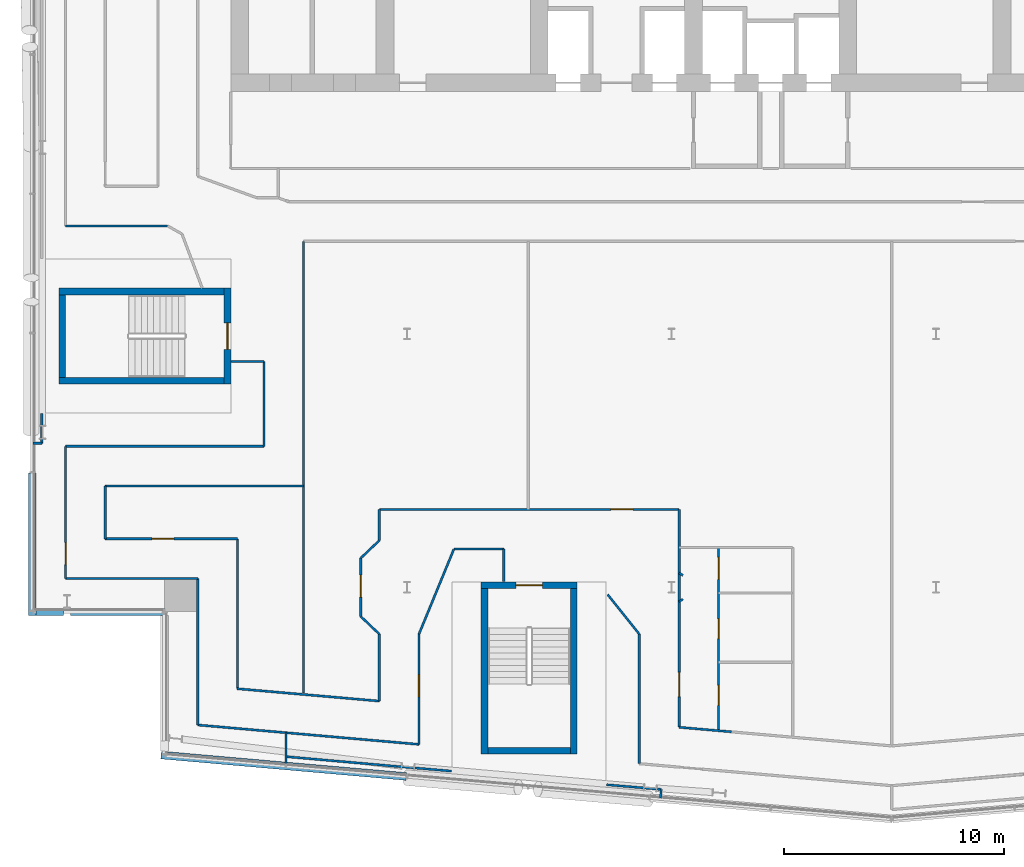
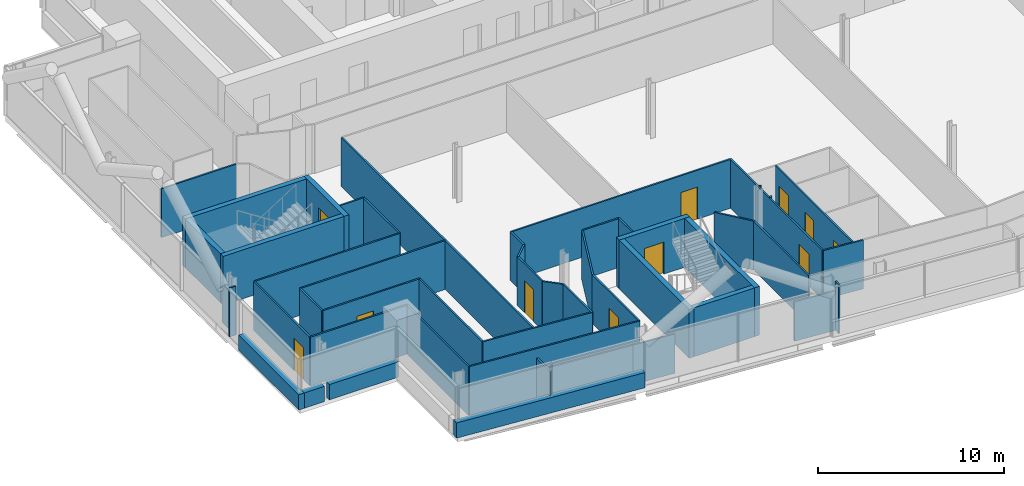
# One storey, part 15 of 27: 50 walls, 11 doors, 11 openings.
"""IFC4 building model written with IfcOpenShell, lengths in metres."""

from ifc_helpers import new_model, si_unit, direction, frame, frame_2d, origin, place, context, subcontext, project, spatial, rectangle, extrude, material, layer, layer_set, type_object, element, fill, save


model = new_model("IFC4")

# Units and contexts
model_context = context("Model", 3, precision=1e-05, world=origin(), true_north=direction((0.0, 1.0)))
body_context = subcontext(model_context, "Body", "Model", "MODEL_VIEW")
ifc_project = project(units=[si_unit("LENGTHUNIT", "METRE"), si_unit("AREAUNIT", "SQUARE_METRE"), si_unit("VOLUMEUNIT", "CUBIC_METRE"), si_unit("PLANEANGLEUNIT", "RADIAN"), si_unit("MASSUNIT", "GRAM", prefix="KILO")], contexts=[model_context])

# Site, building, storey
site_placement = place(None, origin())
site = spatial("IfcSite", under=ifc_project, at=site_placement, CompositionType="ELEMENT")
building_placement = place(site_placement, origin())
building = spatial("IfcBuilding", under=site, at=building_placement, Name="Wharfspan Tower", CompositionType="ELEMENT")
storey_placement = place(building_placement, frame((0.0, 0.0, 191.5)))
storey = spatial("IfcBuildingStorey", under=building, at=storey_placement, Name="L47", CompositionType="ELEMENT", Elevation=191.5)

# Wall, opening, door
ifc_material_1 = material(Name="Gypsum board on steel studs", Category="steel")
ifc_layer_1 = layer(ifc_material_1, 0.100098)
ifc_layer_set_1 = layer_set([ifc_layer_1], Name="Gypsum board on steel studs")
wall_type_1 = type_object("IfcWallType", Name="Compartment wall 100 EI 60", PredefinedType="PARTITIONING", material=ifc_layer_set_1)
wall_1_placement = place(storey_placement, frame((8.5, 11.899902, 0.0), z_axis=(0.0, 0.0, 1.0), x_axis=(0.0, 1.0, 0.0)))
wall_1 = element("IfcWall", 1, at=wall_1_placement, inside=storey, type_object=wall_type_1, Name="Partition L47.w004", PredefinedType="PARTITIONING", context=body_context, shape_type="SweptSolid", body=[
    extrude(rectangle(XDim=6.0, YDim=0.100098, at=frame_2d((3.0, 0.0))), origin(), (0.0, 0.0, 1.0), 3.199951),
])
opening_1_placement = place(wall_1_placement, frame((0.629883, 0.0, 0.0)))
opening_1 = element("IfcOpeningElement", 2, at=opening_1_placement, cuts=wall_1, Name="Opening C5-13", PredefinedType="OPENING", context=body_context, shape_type="SweptSolid", body=[
    extrude(rectangle(XDim=1.0, YDim=2.100098, at=frame_2d((0.5, 1.050049))), frame((0.0, 0.060059, 0.0), z_axis=(0.0, -1.0, 0.0), x_axis=(1.0, 0.0, 0.0)), (0.0, 0.0, 1.0), 0.120117),
])
ifc_material_2 = material(Name="Fire-rated timber door leaf in steel frame", Category="steel")
door_type_1 = type_object("IfcDoorType", Name="Door 1000 FD30S Left", OperationType="SINGLE_SWING_LEFT", PredefinedType="DOOR", material=ifc_material_2)
door_1_placement = place(opening_1_placement, origin())
door_1 = element("IfcDoor", 3, at=door_1_placement, inside=storey, type_object=door_type_1, Name="Door C5-13", OperationType="SINGLE_SWING_LEFT", OverallHeight=2.100098, OverallWidth=1.0, PredefinedType="DOOR", context=body_context, shape_type="SweptSolid", body=[
    extrude(rectangle(XDim=1.0, YDim=2.100098, at=frame_2d((0.5, 1.050049))), frame((0.0, 0.024902, 0.0), z_axis=(0.0, -1.0, 0.0), x_axis=(1.0, 0.0, 0.0)), (0.0, 0.0, 1.0), 0.050049),
])
fill(opening_1, door_1)

# Walls
wall_2_placement = place(storey_placement, frame((8.5, 11.899902, 0.0), z_axis=(0.0, 0.0, 1.0), x_axis=(1.0, 0.0, 0.0)))
element("IfcWall", 4, at=wall_2_placement, inside=storey, type_object=wall_type_1, Name="Partition L47.w005", PredefinedType="PARTITIONING", context=body_context, shape_type="SweptSolid", body=[
    extrude(rectangle(XDim=6.0, YDim=0.100098, at=frame_2d((3.0, 0.0))), origin(), (0.0, 0.0, 1.0), 3.199951),
])
wall_3_placement = place(storey_placement, frame((8.5, 17.899902, 0.0), z_axis=(0.0, 0.0, 1.0), x_axis=(1.0, 0.0, 0.0)))
element("IfcWall", 5, at=wall_3_placement, inside=storey, type_object=wall_type_1, Name="Partition L47.w006", PredefinedType="PARTITIONING", context=body_context, shape_type="SweptSolid", body=[
    extrude(rectangle(XDim=9.0, YDim=0.100098, at=frame_2d((4.5, 0.0))), origin(), (0.0, 0.0, 1.0), 3.199951),
])
wall_4_placement = place(storey_placement, frame((8.5, 27.899902, 0.0), z_axis=(0.0, 0.0, 1.0), x_axis=(1.0, 0.0, 0.0)))
element("IfcWall", 6, at=wall_4_placement, inside=storey, type_object=wall_type_1, Name="Partition L47.w008", PredefinedType="PARTITIONING", context=body_context, shape_type="SweptSolid", body=[
    extrude(rectangle(XDim=4.63501, YDim=0.100098, at=frame_2d((2.317383, 0.0))), origin(), (0.0, 0.0, 1.0), 3.199951),
])
wall_5_placement = place(storey_placement, frame((10.300049, 13.699951, 0.0), z_axis=(0.0, 0.0, 1.0), x_axis=(0.0, 1.0, 0.0)))
element("IfcWall", 7, at=wall_5_placement, inside=storey, type_object=wall_type_1, Name="Partition L47.w010", PredefinedType="PARTITIONING", context=body_context, shape_type="SweptSolid", body=[
    extrude(rectangle(XDim=2.400146, YDim=0.100098, at=frame_2d((1.200195, 0.0))), origin(), (0.0, 0.0, 1.0), 3.199951),
])

# Wall, opening, door
wall_6_placement = place(storey_placement, frame((10.300049, 13.699951, 0.0), z_axis=(0.0, 0.0, 1.0), x_axis=(1.0, 0.0, 0.0)))
wall_6 = element("IfcWall", 8, at=wall_6_placement, inside=storey, type_object=wall_type_1, Name="Partition L47.w011", PredefinedType="PARTITIONING", context=body_context, shape_type="SweptSolid", body=[
    extrude(rectangle(XDim=6.0, YDim=0.100098, at=frame_2d((3.0, 0.0))), origin(), (0.0, 0.0, 1.0), 3.199951),
])
opening_2_placement = place(wall_6_placement, frame((2.119629, 0.0, 0.0)))
opening_2 = element("IfcOpeningElement", 9, at=opening_2_placement, cuts=wall_6, Name="Opening C5-14", PredefinedType="OPENING", context=body_context, shape_type="SweptSolid", body=[
    extrude(rectangle(XDim=1.0, YDim=2.100098, at=frame_2d((0.5, 1.050049))), frame((0.0, 0.060059, 0.0), z_axis=(0.0, -1.0, 0.0), x_axis=(1.0, 0.0, 0.0)), (0.0, 0.0, 1.0), 0.120117),
])
door_2_placement = place(opening_2_placement, origin())
door_2 = element("IfcDoor", 10, at=door_2_placement, inside=storey, type_object=door_type_1, Name="Door C5-14", OperationType="SINGLE_SWING_LEFT", OverallHeight=2.100098, OverallWidth=1.0, PredefinedType="DOOR", context=body_context, shape_type="SweptSolid", body=[
    extrude(rectangle(XDim=1.0, YDim=2.100098, at=frame_2d((0.5, 1.050049))), frame((0.0, 0.024902, 0.0), z_axis=(0.0, -1.0, 0.0), x_axis=(1.0, 0.0, 0.0)), (0.0, 0.0, 1.0), 0.050049),
])
fill(opening_2, door_2)

# Walls
wall_7_placement = place(storey_placement, frame((10.300049, 16.100098, 0.0), z_axis=(0.0, 0.0, 1.0), x_axis=(1.0, 0.0, 0.0)))
element("IfcWall", 11, at=wall_7_placement, inside=storey, type_object=wall_type_1, Name="Partition L47.w012", PredefinedType="PARTITIONING", context=body_context, shape_type="SweptSolid", body=[
    extrude(rectangle(XDim=9.0, YDim=0.100098, at=frame_2d((4.5, 0.0))), origin(), (0.0, 0.0, 1.0), 3.199951),
])
wall_8_placement = place(storey_placement, frame((14.5, 5.25, 0.0), z_axis=(0.0, 0.0, 1.0), x_axis=(0.0, 1.0, 0.0)))
element("IfcWall", 12, at=wall_8_placement, inside=storey, type_object=wall_type_1, Name="Partition L47.w018", PredefinedType="PARTITIONING", context=body_context, shape_type="SweptSolid", body=[
    extrude(rectangle(XDim=6.649902, YDim=0.100098, at=frame_2d((3.324951, 0.0))), origin(), (0.0, 0.0, 1.0), 3.199951),
])
wall_9_placement = place(storey_placement, frame((16.02002, 21.75, 0.0), z_axis=(0.0, 0.0, 1.0), x_axis=(1.0, 0.0, 0.0)))
element("IfcWall", 13, at=wall_9_placement, inside=storey, type_object=wall_type_1, Name="Partition L47.w024", PredefinedType="PARTITIONING", context=body_context, shape_type="SweptSolid", body=[
    extrude(rectangle(XDim=1.47998, YDim=0.100098, at=frame_2d((0.73999, 0.0))), origin(), (0.0, 0.0, 1.0), 3.199951),
])
wall_10_placement = place(storey_placement, frame((16.300049, 6.899902, 0.0), z_axis=(0.0, 0.0, 1.0), x_axis=(0.0, 1.0, 0.0)))
element("IfcWall", 14, at=wall_10_placement, inside=storey, type_object=wall_type_1, Name="Partition L47.w025", PredefinedType="PARTITIONING", context=body_context, shape_type="SweptSolid", body=[
    extrude(rectangle(XDim=6.800049, YDim=0.100098, at=frame_2d((3.399902, 0.0))), origin(), (0.0, 0.0, 1.0), 3.199951),
])
wall_11_placement = place(storey_placement, frame((17.5, 17.899902, 0.0), z_axis=(0.0, 0.0, 1.0), x_axis=(0.0, 1.0, 0.0)))
element("IfcWall", 15, at=wall_11_placement, inside=storey, type_object=wall_type_1, Name="Partition L47.w028", PredefinedType="PARTITIONING", context=body_context, shape_type="SweptSolid", body=[
    extrude(rectangle(XDim=3.850098, YDim=0.100098, at=frame_2d((1.925049, 0.0))), origin(), (0.0, 0.0, 1.0), 3.199951),
])
wall_12_placement = place(storey_placement, frame((18.5, 3.425049, 0.0), z_axis=(0.0, 0.0, 1.0), x_axis=(0.0, 1.0, 0.0)))
element("IfcWall", 16, at=wall_12_placement, inside=storey, type_object=wall_type_1, Name="Partition L47.w031", PredefinedType="PARTITIONING", context=body_context, shape_type="SweptSolid", body=[
    extrude(rectangle(XDim=1.474854, YDim=0.100098, at=frame_2d((0.737305, 0.0))), origin(), (0.0, 0.0, 1.0), 2.580078),
])
wall_13_placement = place(storey_placement, frame((19.300049, 6.705078, 0.0), z_axis=(0.0, 0.0, 1.0), x_axis=(0.0, 1.0, 0.0)))
element("IfcWall", 17, at=wall_13_placement, inside=storey, type_object=wall_type_1, Name="Partition L47.w036", PredefinedType="PARTITIONING", context=body_context, shape_type="SweptSolid", body=[
    extrude(rectangle(XDim=20.494873, YDim=0.100098, at=frame_2d((10.247559, 0.0))), origin(), (0.0, 0.0, 1.0), 3.199951),
])
wall_14_placement = place(storey_placement, frame((21.899902, 12.824951, 0.0), z_axis=(0.0, 0.0, 1.0), x_axis=(0.724157, 0.689643, 0.0)))
element("IfcWall", 18, at=wall_14_placement, inside=storey, type_object=wall_type_1, Name="Partition L47.w038", PredefinedType="PARTITIONING", context=body_context, shape_type="SweptSolid", body=[
    extrude(rectangle(XDim=1.160156, YDim=0.100098, at=frame_2d((0.580078, 0.0))), origin(), (0.0, 0.0, 1.0), 3.199951),
])

# Wall, opening, door
wall_15_placement = place(storey_placement, frame((21.899902, 10.175049, 0.0), z_axis=(0.0, 0.0, 1.0), x_axis=(0.0, 1.0, 0.0)))
wall_15 = element("IfcWall", 19, at=wall_15_placement, inside=storey, type_object=wall_type_1, Name="Partition L47.w039", PredefinedType="PARTITIONING", context=body_context, shape_type="SweptSolid", body=[
    extrude(rectangle(XDim=2.649902, YDim=0.100098, at=frame_2d((1.324951, 0.0))), origin(), (0.0, 0.0, 1.0), 3.199951),
])
opening_3_placement = place(wall_15_placement, frame((0.879883, 0.0, 0.0)))
opening_3 = element("IfcOpeningElement", 20, at=opening_3_placement, cuts=wall_15, Name="Opening C5-11", PredefinedType="OPENING", context=body_context, shape_type="SweptSolid", body=[
    extrude(rectangle(XDim=1.0, YDim=2.100098, at=frame_2d((0.5, 1.050049))), frame((0.0, 0.060059, 0.0), z_axis=(0.0, -1.0, 0.0), x_axis=(1.0, 0.0, 0.0)), (0.0, 0.0, 1.0), 0.120117),
])
door_type_2 = type_object("IfcDoorType", Name="Door 1000 FD30S Right", OperationType="SINGLE_SWING_RIGHT", PredefinedType="DOOR", material=ifc_material_2)
door_3_placement = place(opening_3_placement, origin())
door_3 = element("IfcDoor", 21, at=door_3_placement, inside=storey, type_object=door_type_2, Name="Door C5-11", OperationType="SINGLE_SWING_RIGHT", OverallHeight=2.100098, OverallWidth=1.0, PredefinedType="DOOR", context=body_context, shape_type="SweptSolid", body=[
    extrude(rectangle(XDim=1.0, YDim=2.100098, at=frame_2d((0.5, 1.050049))), frame((0.0, 0.024902, 0.0), z_axis=(0.0, -1.0, 0.0), x_axis=(1.0, 0.0, 0.0)), (0.0, 0.0, 1.0), 0.050049),
])
fill(opening_3, door_3)

# Walls
wall_16_placement = place(storey_placement, frame((22.73999, 9.375, 0.0), z_axis=(0.0, 0.0, 1.0), x_axis=(-0.724157, 0.689643, 0.0)))
element("IfcWall", 22, at=wall_16_placement, inside=storey, type_object=wall_type_1, Name="Partition L47.w040", PredefinedType="PARTITIONING", context=body_context, shape_type="SweptSolid", body=[
    extrude(rectangle(XDim=1.160156, YDim=0.100098, at=frame_2d((0.580078, 0.0))), origin(), (0.0, 0.0, 1.0), 3.199951),
])
wall_17_placement = place(storey_placement, frame((22.73999, 6.334961, 0.0), z_axis=(0.0, 0.0, 1.0), x_axis=(-0.996229, 0.086722, 0.0)))
element("IfcWall", 23, at=wall_17_placement, inside=storey, type_object=wall_type_1, Name="Partition L47.w041", PredefinedType="PARTITIONING", context=body_context, shape_type="SweptSolid", body=[
    extrude(rectangle(XDim=6.477783, YDim=0.100098, at=frame_2d((3.23877, 0.0))), origin(), (0.0, 0.0, 1.0), 3.199951),
])
wall_18_placement = place(storey_placement, frame((22.73999, 6.334961, 0.0), z_axis=(0.0, 0.0, 1.0), x_axis=(0.0, 1.0, 0.0)))
element("IfcWall", 24, at=wall_18_placement, inside=storey, type_object=wall_type_1, Name="Partition L47.w042", PredefinedType="PARTITIONING", context=body_context, shape_type="SweptSolid", body=[
    extrude(rectangle(XDim=3.040039, YDim=0.100098, at=frame_2d((1.52002, 0.0))), origin(), (0.0, 0.0, 1.0), 3.199951),
])
wall_19_placement = place(storey_placement, frame((22.73999, 13.625, 0.0), z_axis=(0.0, 0.0, 1.0), x_axis=(0.0, 1.0, 0.0)))
element("IfcWall", 25, at=wall_19_placement, inside=storey, type_object=wall_type_1, Name="Partition L47.w043", PredefinedType="PARTITIONING", context=body_context, shape_type="SweptSolid", body=[
    extrude(rectangle(XDim=1.409912, YDim=0.100098, at=frame_2d((0.705078, 0.0))), origin(), (0.0, 0.0, 1.0), 3.199951),
])

# Wall, opening, door
wall_20_placement = place(storey_placement, frame((22.73999, 15.034912, 0.0), z_axis=(0.0, 0.0, 1.0), x_axis=(1.0, 0.0, 0.0)))
wall_20 = element("IfcWall", 26, at=wall_20_placement, inside=storey, type_object=wall_type_1, Name="Partition L47.w044", PredefinedType="PARTITIONING", context=body_context, shape_type="SweptSolid", body=[
    extrude(rectangle(XDim=13.600098, YDim=0.100098, at=frame_2d((6.800049, 0.0))), origin(), (0.0, 0.0, 1.0), 3.199951),
])
opening_4_placement = place(wall_20_placement, frame((10.51001, 0.0, 0.0)))
opening_4 = element("IfcOpeningElement", 27, at=opening_4_placement, cuts=wall_20, Name="Opening C5-15", PredefinedType="OPENING", context=body_context, shape_type="SweptSolid", body=[
    extrude(rectangle(XDim=1.0, YDim=2.100098, at=frame_2d((0.5, 1.050049))), frame((0.0, 0.060059, 0.0), z_axis=(0.0, -1.0, 0.0), x_axis=(1.0, 0.0, 0.0)), (0.0, 0.0, 1.0), 0.120117),
])
door_4_placement = place(opening_4_placement, origin())
door_4 = element("IfcDoor", 28, at=door_4_placement, inside=storey, type_object=door_type_2, Name="Door C5-15", OperationType="SINGLE_SWING_RIGHT", OverallHeight=2.100098, OverallWidth=1.0, PredefinedType="DOOR", context=body_context, shape_type="SweptSolid", body=[
    extrude(rectangle(XDim=1.0, YDim=2.100098, at=frame_2d((0.5, 1.050049))), frame((0.0, 0.024902, 0.0), z_axis=(0.0, -1.0, 0.0), x_axis=(1.0, 0.0, 0.0)), (0.0, 0.0, 1.0), 0.050049),
])
fill(opening_4, door_4)

# Wall
wall_21_placement = place(storey_placement, frame((24.540039, 9.375, 0.0), z_axis=(0.0, 0.0, 1.0), x_axis=(0.380187, 0.924914, 0.0)))
element("IfcWall", 29, at=wall_21_placement, inside=storey, type_object=wall_type_1, Name="Partition L47.w046", PredefinedType="PARTITIONING", context=body_context, shape_type="SweptSolid", body=[
    extrude(rectangle(XDim=4.156006, YDim=0.100098, at=frame_2d((2.078125, 0.0))), origin(), (0.0, 0.0, 1.0), 3.199951),
])

# Wall, opening, door
wall_22_placement = place(storey_placement, frame((24.540039, 4.370117, 0.0), z_axis=(0.0, 0.0, 1.0), x_axis=(0.0, 1.0, 0.0)))
wall_22 = element("IfcWall", 30, at=wall_22_placement, inside=storey, type_object=wall_type_1, Name="Partition L47.w047", PredefinedType="PARTITIONING", context=body_context, shape_type="SweptSolid", body=[
    extrude(rectangle(XDim=5.004883, YDim=0.100098, at=frame_2d((2.502441, 0.0))), origin(), (0.0, 0.0, 1.0), 3.199951),
])
opening_5_placement = place(wall_22_placement, frame((2.156006, 0.0, 0.0)))
opening_5 = element("IfcOpeningElement", 31, at=opening_5_placement, cuts=wall_22, Name="Opening C5-05", PredefinedType="OPENING", context=body_context, shape_type="SweptSolid", body=[
    extrude(rectangle(XDim=1.0, YDim=2.100098, at=frame_2d((0.5, 1.050049))), frame((0.0, 0.060059, 0.0), z_axis=(0.0, -1.0, 0.0), x_axis=(1.0, 0.0, 0.0)), (0.0, 0.0, 1.0), 0.120117),
])
door_5_placement = place(opening_5_placement, origin())
door_5 = element("IfcDoor", 32, at=door_5_placement, inside=storey, type_object=door_type_2, Name="Door C5-05", OperationType="SINGLE_SWING_RIGHT", OverallHeight=2.100098, OverallWidth=1.0, PredefinedType="DOOR", context=body_context, shape_type="SweptSolid", body=[
    extrude(rectangle(XDim=1.0, YDim=2.100098, at=frame_2d((0.5, 1.050049))), frame((0.0, 0.024902, 0.0), z_axis=(0.0, -1.0, 0.0), x_axis=(1.0, 0.0, 0.0)), (0.0, 0.0, 1.0), 0.050049),
])
fill(opening_5, door_5)

# Walls
wall_23_placement = place(storey_placement, frame((24.540039, 4.370117, 0.0), z_axis=(0.0, 0.0, 1.0), x_axis=(-0.996178, 0.08739, 0.0)))
element("IfcWall", 33, at=wall_23_placement, inside=storey, type_object=wall_type_1, Name="Partition L47.w048", PredefinedType="PARTITIONING", context=body_context, shape_type="SweptSolid", body=[
    extrude(rectangle(XDim=10.076904, YDim=0.100098, at=frame_2d((5.038574, 0.0))), origin(), (0.0, 0.0, 1.0), 3.199951),
])
wall_24_placement = place(storey_placement, frame((26.125, 13.235107, 0.0), z_axis=(0.0, 0.0, 1.0), x_axis=(1.0, 0.0, 0.0)))
element("IfcWall", 34, at=wall_24_placement, inside=storey, type_object=wall_type_1, Name="Partition L47.w050", PredefinedType="PARTITIONING", context=body_context, shape_type="SweptSolid", body=[
    extrude(rectangle(XDim=2.264893, YDim=0.100098, at=frame_2d((1.132324, 0.0))), origin(), (0.0, 0.0, 1.0), 3.199951),
])
wall_25_placement = place(storey_placement, frame((28.389893, 11.754395, 0.0), z_axis=(0.0, 0.0, 1.0), x_axis=(0.0, 1.0, 0.0)))
element("IfcWall", 35, at=wall_25_placement, inside=storey, type_object=wall_type_1, Name="Partition L47.w051", PredefinedType="PARTITIONING", context=body_context, shape_type="SweptSolid", body=[
    extrude(rectangle(XDim=1.480713, YDim=0.100098, at=frame_2d((0.740234, 0.0))), origin(), (0.0, 0.0, 1.0), 3.199951),
])
wall_26_placement = place(storey_placement, frame((34.540039, 3.495117, 0.0), z_axis=(0.0, 0.0, 1.0), x_axis=(0.0, 1.0, 0.0)))
element("IfcWall", 36, at=wall_26_placement, inside=storey, type_object=wall_type_1, Name="Partition L47.w053", PredefinedType="PARTITIONING", context=body_context, shape_type="SweptSolid", body=[
    extrude(rectangle(XDim=5.879883, YDim=0.100098, at=frame_2d((2.939941, 0.0))), origin(), (0.0, 0.0, 1.0), 3.199951),
])
wall_27_placement = place(storey_placement, frame((34.540039, 9.375, 0.0), z_axis=(0.0, 0.0, 1.0), x_axis=(-0.624735, 0.780839, 0.0)))
element("IfcWall", 37, at=wall_27_placement, inside=storey, type_object=wall_type_1, Name="Partition L47.w054", PredefinedType="PARTITIONING", context=body_context, shape_type="SweptSolid", body=[
    extrude(rectangle(XDim=2.295898, YDim=0.100098, at=frame_2d((1.147949, 0.0))), origin(), (0.0, 0.0, 1.0), 3.199951),
])

# Wall, opening, door
wall_28_placement = place(storey_placement, frame((36.350098, 5.155029, 0.0), z_axis=(0.0, 0.0, 1.0), x_axis=(0.0, 1.0, 0.0)))
wall_28 = element("IfcWall", 38, at=wall_28_placement, inside=storey, type_object=wall_type_1, Name="Partition L47.w057", PredefinedType="PARTITIONING", context=body_context, shape_type="SweptSolid", body=[
    extrude(rectangle(XDim=9.879883, YDim=0.100098, at=frame_2d((4.939941, 0.0))), origin(), (0.0, 0.0, 1.0), 3.199951),
])
opening_6_placement = place(wall_28_placement, frame((1.385498, 0.0, 0.0)))
opening_6 = element("IfcOpeningElement", 39, at=opening_6_placement, cuts=wall_28, Name="Opening C5-06", PredefinedType="OPENING", context=body_context, shape_type="SweptSolid", body=[
    extrude(rectangle(XDim=1.100098, YDim=2.100098, at=frame_2d((0.550049, 1.050049))), frame((0.0, 0.060059, 0.0), z_axis=(0.0, -1.0, 0.0), x_axis=(1.0, 0.0, 0.0)), (0.0, 0.0, 1.0), 0.120117),
])
door_type_3 = type_object("IfcDoorType", Name="Door 1100 FD30S Left", OperationType="SINGLE_SWING_LEFT", PredefinedType="DOOR", material=ifc_material_2)
door_6_placement = place(opening_6_placement, origin())
door_6 = element("IfcDoor", 40, at=door_6_placement, inside=storey, type_object=door_type_3, Name="Door C5-06", OperationType="SINGLE_SWING_LEFT", OverallHeight=2.100098, OverallWidth=1.100098, PredefinedType="DOOR", context=body_context, shape_type="SweptSolid", body=[
    extrude(rectangle(XDim=1.100098, YDim=2.100098, at=frame_2d((0.550049, 1.050049))), frame((0.0, 0.024902, 0.0), z_axis=(0.0, -1.0, 0.0), x_axis=(1.0, 0.0, 0.0)), (0.0, 0.0, 1.0), 0.050049),
])
fill(opening_6, door_6)

# Walls
for number, where, z_axis, x_axis, name in (
    (41, (36.350098, 10.844971, 0.0), (0.0, 0.0, 1.0), (0.808115, 0.589026, 0.0), "Partition L47.w058"),
    (42, (36.514893, 12.034912, 0.0), (0.0, 0.0, 1.0), (-0.808115, 0.589026, 0.0), "Partition L47.w060"),
):
    element("IfcWall", number, at=place(storey_placement, frame(where, z_axis=z_axis, x_axis=x_axis)), inside=storey, type_object=wall_type_1, Name=name, PredefinedType="PARTITIONING", context=body_context, shape_type="SweptSolid", body=[
        extrude(rectangle(XDim=0.203857, YDim=0.100098, at=frame_2d((0.102051, 0.0))), origin(), (0.0, 0.0, 1.0), 3.199951),
    ])

# Wall, openings, doors
wall_29_placement = place(storey_placement, frame((38.139893, 5.0, 0.0), z_axis=(0.0, 0.0, 1.0), x_axis=(0.0, 1.0, 0.0)))
wall_29 = element("IfcWall", 43, at=wall_29_placement, inside=storey, type_object=wall_type_1, Name="Partition L47.w061", PredefinedType="PARTITIONING", context=body_context, shape_type="SweptSolid", body=[
    extrude(rectangle(XDim=8.300049, YDim=0.100098, at=frame_2d((4.149902, 0.0))), origin(), (0.0, 0.0, 1.0), 3.199951),
])
opening_7_placement = place(wall_29_placement, frame((1.14502, 0.0, 0.0)))
opening_7 = element("IfcOpeningElement", 44, at=opening_7_placement, cuts=wall_29, Name="Opening C5-04", PredefinedType="OPENING", context=body_context, shape_type="SweptSolid", body=[
    extrude(rectangle(XDim=0.899902, YDim=2.100098, at=frame_2d((0.449951, 1.050049))), frame((0.0, 0.060059, 0.0), z_axis=(0.0, -1.0, 0.0), x_axis=(1.0, 0.0, 0.0)), (0.0, 0.0, 1.0), 0.120117),
])
opening_8_placement = place(wall_29_placement, frame((4.164795, 0.0, 0.0)))
opening_8 = element("IfcOpeningElement", 45, at=opening_8_placement, cuts=wall_29, Name="Opening C5-10", PredefinedType="OPENING", context=body_context, shape_type="SweptSolid", body=[
    extrude(rectangle(XDim=0.899902, YDim=2.100098, at=frame_2d((0.449951, 1.050049))), frame((0.0, 0.060059, 0.0), z_axis=(0.0, -1.0, 0.0), x_axis=(1.0, 0.0, 0.0)), (0.0, 0.0, 1.0), 0.120117),
])
opening_9_placement = place(wall_29_placement, frame((6.854736, 0.0, 0.0)))
opening_9 = element("IfcOpeningElement", 46, at=opening_9_placement, cuts=wall_29, Name="Opening C5-12", PredefinedType="OPENING", context=body_context, shape_type="SweptSolid", body=[
    extrude(rectangle(XDim=1.0, YDim=2.100098, at=frame_2d((0.5, 1.050049))), frame((0.0, 0.060059, 0.0), z_axis=(0.0, -1.0, 0.0), x_axis=(1.0, 0.0, 0.0)), (0.0, 0.0, 1.0), 0.120117),
])
ifc_material_3 = material(Name="Timber door leaf in steel frame", Category="steel")
door_type_4 = type_object("IfcDoorType", Name="Door 1000 NOT RATED Right", OperationType="SINGLE_SWING_RIGHT", PredefinedType="DOOR", material=ifc_material_3)
door_7_placement = place(opening_9_placement, origin())
door_7 = element("IfcDoor", 47, at=door_7_placement, inside=storey, type_object=door_type_4, Name="Door C5-12", OperationType="SINGLE_SWING_RIGHT", OverallHeight=2.100098, OverallWidth=1.0, PredefinedType="DOOR", context=body_context, shape_type="SweptSolid", body=[
    extrude(rectangle(XDim=1.0, YDim=2.100098, at=frame_2d((0.5, 1.050049))), frame((0.0, 0.024902, 0.0), z_axis=(0.0, -1.0, 0.0), x_axis=(1.0, 0.0, 0.0)), (0.0, 0.0, 1.0), 0.050049),
])
fill(opening_9, door_7)
door_type_5 = type_object("IfcDoorType", Name="Door 900 NOT RATED Left", OperationType="SINGLE_SWING_LEFT", PredefinedType="DOOR", material=ifc_material_3)
door_8_placement = place(opening_7_placement, origin())
door_8 = element("IfcDoor", 48, at=door_8_placement, inside=storey, type_object=door_type_5, Name="Door C5-04", OperationType="SINGLE_SWING_LEFT", OverallHeight=2.100098, OverallWidth=0.899902, PredefinedType="DOOR", context=body_context, shape_type="SweptSolid", body=[
    extrude(rectangle(XDim=0.899902, YDim=2.100098, at=frame_2d((0.449951, 1.050049))), frame((0.0, 0.024902, 0.0), z_axis=(0.0, -1.0, 0.0), x_axis=(1.0, 0.0, 0.0)), (0.0, 0.0, 1.0), 0.050049),
])
fill(opening_7, door_8)
door_type_6 = type_object("IfcDoorType", Name="Door 900 NOT RATED Right", OperationType="SINGLE_SWING_RIGHT", PredefinedType="DOOR", material=ifc_material_3)
door_9_placement = place(opening_8_placement, origin())
door_9 = element("IfcDoor", 49, at=door_9_placement, inside=storey, type_object=door_type_6, Name="Door C5-10", OperationType="SINGLE_SWING_RIGHT", OverallHeight=2.100098, OverallWidth=0.899902, PredefinedType="DOOR", context=body_context, shape_type="SweptSolid", body=[
    extrude(rectangle(XDim=0.899902, YDim=2.100098, at=frame_2d((0.449951, 1.050049))), frame((0.0, 0.024902, 0.0), z_axis=(0.0, -1.0, 0.0), x_axis=(1.0, 0.0, 0.0)), (0.0, 0.0, 1.0), 0.050049),
])
fill(opening_8, door_9)

# Walls
wall_30_placement = place(storey_placement, frame((38.715088, 4.939941, 0.0), z_axis=(0.0, 0.0, 1.0), x_axis=(-0.996236, 0.086674, 0.0)))
element("IfcWall", 50, at=wall_30_placement, inside=storey, type_object=wall_type_1, Name="Partition L47.w064", PredefinedType="PARTITIONING", context=body_context, shape_type="SweptSolid", body=[
    extrude(rectangle(XDim=2.371826, YDim=0.100098, at=frame_2d((1.186035, 0.0))), origin(), (0.0, 0.0, 1.0), 3.199951),
])
ifc_layer_2 = layer(ifc_material_1, 0.100098)
ifc_layer_set_2 = layer_set([ifc_layer_2], Name="Gypsum board on steel studs")
wall_type_2 = type_object("IfcWallType", Name="Partition 100", PredefinedType="PARTITIONING", material=ifc_layer_set_2)
wall_31_placement = place(storey_placement, frame((7.02002, 18.034912, 0.0), z_axis=(0.0, 0.0, 1.0), x_axis=(1.0, 0.0, 0.0)))
element("IfcWall", 51, at=wall_31_placement, inside=storey, type_object=wall_type_2, Name="Partition L47.w001", PredefinedType="PARTITIONING", context=body_context, shape_type="SweptSolid", body=[
    extrude(rectangle(XDim=0.399902, YDim=0.100098, at=frame_2d((0.199951, 0.0))), origin(), (0.0, 0.0, 1.0), 3.199951),
])
wall_32_placement = place(storey_placement, frame((7.419922, 18.034912, 0.0), z_axis=(0.0, 0.0, 1.0), x_axis=(0.0, 1.0, 0.0)))
element("IfcWall", 52, at=wall_32_placement, inside=storey, type_object=wall_type_2, Name="Partition L47.w002", PredefinedType="PARTITIONING", context=body_context, shape_type="SweptSolid", body=[
    extrude(rectangle(XDim=1.344971, YDim=0.100098, at=frame_2d((0.672363, 0.0))), origin(), (0.0, 0.0, 1.0), 2.580078),
])
wall_33_placement = place(storey_placement, frame((23.540039, 3.370117, 0.0), z_axis=(0.0, 0.0, 1.0), x_axis=(-0.996148, 0.087735, 0.0)))
element("IfcWall", 53, at=wall_33_placement, inside=storey, type_object=wall_type_2, Name="Partition L47.w045", PredefinedType="PARTITIONING", context=body_context, shape_type="SweptSolid", body=[
    extrude(rectangle(XDim=5.014404, YDim=0.100098, at=frame_2d((2.507324, 0.0))), origin(), (0.0, 0.0, 1.0), 2.580078),
])
wall_34_placement = place(storey_placement, frame((26.019287, 3.156738, 0.0), z_axis=(0.0, 0.0, 1.0), x_axis=(-0.996317, 0.085749, 0.0)))
element("IfcWall", 54, at=wall_34_placement, inside=storey, type_object=wall_type_2, Name="Partition L47.w049", PredefinedType="PARTITIONING", context=body_context, shape_type="SweptSolid", body=[
    extrude(rectangle(XDim=2.488525, YDim=0.100098, at=frame_2d((1.244141, 0.0))), origin(), (0.0, 0.0, 1.0), 2.580078),
])
wall_35_placement = place(storey_placement, frame((35.501709, 1.926514, 0.0), z_axis=(0.0, 0.0, 1.0), x_axis=(0.083045, 0.996542, 0.0)))
element("IfcWall", 55, at=wall_35_placement, inside=storey, type_object=wall_type_2, Name="Partition L47.w055", PredefinedType="PARTITIONING", context=body_context, shape_type="SweptSolid", body=[
    extrude(rectangle(XDim=0.399902, YDim=0.100098, at=frame_2d((0.199951, 0.0))), origin(), (0.0, 0.0, 1.0), 3.199951),
])
wall_36_placement = place(storey_placement, frame((35.534912, 2.324951, 0.0), z_axis=(0.0, 0.0, 1.0), x_axis=(-0.996311, 0.085867, 0.0)))
element("IfcWall", 56, at=wall_36_placement, inside=storey, type_object=wall_type_2, Name="Partition L47.w056", PredefinedType="PARTITIONING", context=body_context, shape_type="SweptSolid", body=[
    extrude(rectangle(XDim=2.485107, YDim=0.100098, at=frame_2d((1.242676, 0.0))), origin(), (0.0, 0.0, 1.0), 2.580078),
])
ifc_material_4 = material(Name="Concrete C40/50", Category="concrete")
ifc_layer_3 = layer(ifc_material_4, 0.350098)
ifc_layer_set_3 = layer_set([ifc_layer_3], Name="Concrete C40/50")
wall_type_3 = type_object("IfcWallType", Name="SPANDREL EXPOSED CONCRETE 350", PredefinedType="SOLIDWALL", material=ifc_layer_set_3)
wall_37_placement = place(storey_placement, frame((12.835205, 3.884521, 0.0), z_axis=(0.0, 0.0, 1.0), x_axis=(0.996199, -0.087154, 0.0)))
element("IfcWall", 57, at=wall_37_placement, inside=storey, type_object=wall_type_3, Name="Spandrel upstand L47 S1 1", PredefinedType="SOLIDWALL", context=body_context, shape_type="SweptSolid", body=[
    extrude(rectangle(XDim=11.177002, YDim=0.350098, at=frame_2d((5.588379, 0.0))), origin(), (0.0, 0.0, 1.0), 1.0),
])
wall_38_placement = place(storey_placement, frame((6.995117, 16.689941, 0.0), z_axis=(0.0, 0.0, 1.0), x_axis=(0.0, -1.0, 0.0)))
element("IfcWall", 58, at=wall_38_placement, inside=storey, type_object=wall_type_3, Name="Spandrel upstand L47 W", PredefinedType="SOLIDWALL", context=body_context, shape_type="SweptSolid", body=[
    extrude(rectangle(XDim=6.469971, YDim=0.350098, at=frame_2d((3.234863, 0.0))), origin(), (0.0, 0.0, 1.0), 1.0),
])
wall_39_placement = place(storey_placement, frame((7.169922, 10.39502, 0.0), z_axis=(0.0, 0.0, 1.0), x_axis=(1.0, 0.0, 0.0)))
element("IfcWall", 59, at=wall_39_placement, inside=storey, type_object=wall_type_3, Name="Spandrel upstand L47 NFW-H", PredefinedType="SOLIDWALL", context=body_context, shape_type="SweptSolid", body=[
    extrude(rectangle(XDim=1.238281, YDim=0.350098, at=frame_2d((0.619141, 0.0))), origin(), (0.0, 0.0, 1.0), 1.0),
])
wall_40_placement = place(storey_placement, frame((8.713379, 10.39502, 0.0), z_axis=(0.0, 0.0, 1.0), x_axis=(1.0, 0.0, 0.0)))
element("IfcWall", 60, at=wall_40_placement, inside=storey, type_object=wall_type_3, Name="Spandrel upstand L47 NFW-H 2", PredefinedType="SOLIDWALL", context=body_context, shape_type="SweptSolid", body=[
    extrude(rectangle(XDim=4.286621, YDim=0.350098, at=frame_2d((2.143311, 0.0))), origin(), (0.0, 0.0, 1.0), 1.0),
])

# Wall, opening, door
ifc_layer_4 = layer(ifc_material_4, 0.300049)
ifc_layer_set_4 = layer_set([ifc_layer_4], Name="Concrete C40/50")
wall_type_4 = type_object("IfcWallType", Name="Stair core wall 300", PredefinedType="SHEAR", material=ifc_layer_set_4)
wall_41_placement = place(storey_placement, frame((15.850098, 20.725098, 0.0), z_axis=(0.0, 0.0, 1.0), x_axis=(0.0, 1.0, 0.0)))
wall_41 = element("IfcWall", 61, at=wall_41_placement, inside=storey, type_object=wall_type_4, Name="ST3 stair enclosure wall L47", PredefinedType="SHEAR", context=body_context, shape_type="SweptSolid", body=[
    extrude(rectangle(XDim=4.349854, YDim=0.300049, at=frame_2d((2.174805, 0.0))), origin(), (0.0, 0.0, 1.0), 3.199951),
])
opening_10_placement = place(wall_41_placement, frame((1.574951, 0.0, 0.0)))
opening_10 = element("IfcOpeningElement", 62, at=opening_10_placement, cuts=wall_41, Name="Opening SD3.L47", PredefinedType="OPENING", context=body_context, shape_type="SweptSolid", body=[
    extrude(rectangle(XDim=1.199951, YDim=2.100098, at=frame_2d((0.600098, 1.050049))), frame((0.0, 0.159912, 0.0), z_axis=(0.0, -1.0, 0.0), x_axis=(1.0, 0.0, 0.0)), (0.0, 0.0, 1.0), 0.320068),
])
ifc_material_5 = material(Name="Steel door leaf", Category="steel")
door_type_7 = type_object("IfcDoorType", Name="Stair door 1200x2100", OperationType="SINGLE_SWING_LEFT", PredefinedType="DOOR", material=ifc_material_5)
door_10_placement = place(opening_10_placement, origin())
door_10 = element("IfcDoor", 63, at=door_10_placement, inside=storey, type_object=door_type_7, Name="sd:L47:ST3z3", OperationType="SINGLE_SWING_RIGHT", OverallHeight=2.100098, OverallWidth=1.199951, PredefinedType="DOOR", context=body_context, shape_type="SweptSolid", body=[
    extrude(rectangle(XDim=1.199951, YDim=2.100098, at=frame_2d((0.600098, 1.050049))), frame((0.0, 0.024902, 0.0), z_axis=(0.0, -1.0, 0.0), x_axis=(1.0, 0.0, 0.0)), (0.0, 0.0, 1.0), 0.050049),
])
fill(opening_10, door_10)

wall_42_placement = place(storey_placement, frame((27.364258, 11.584229, 0.0), z_axis=(0.0, 0.0, 1.0), x_axis=(1.0, 0.0, 0.0)))
wall_42 = element("IfcWall", 64, at=wall_42_placement, inside=storey, type_object=wall_type_4, Name="ST4 stair enclosure wall L47", PredefinedType="SHEAR", context=body_context, shape_type="SweptSolid", body=[
    extrude(rectangle(XDim=4.349854, YDim=0.300049, at=frame_2d((2.174805, 0.0))), origin(), (0.0, 0.0, 1.0), 3.199951),
])
opening_11_placement = place(wall_42_placement, frame((1.574951, 0.0, 0.0)))
opening_11 = element("IfcOpeningElement", 65, at=opening_11_placement, cuts=wall_42, Name="Opening SD4.L47", PredefinedType="OPENING", context=body_context, shape_type="SweptSolid", body=[
    extrude(rectangle(XDim=1.199951, YDim=2.100098, at=frame_2d((0.600098, 1.050049))), frame((0.0, 0.159912, 0.0), z_axis=(0.0, -1.0, 0.0), x_axis=(1.0, 0.0, 0.0)), (0.0, 0.0, 1.0), 0.320068),
])
door_11_placement = place(opening_11_placement, origin())
door_11 = element("IfcDoor", 66, at=door_11_placement, inside=storey, type_object=door_type_7, Name="sd:L47:ST4z3", OperationType="SINGLE_SWING_RIGHT", OverallHeight=2.100098, OverallWidth=1.199951, PredefinedType="DOOR", context=body_context, shape_type="SweptSolid", body=[
    extrude(rectangle(XDim=1.199951, YDim=2.100098, at=frame_2d((0.600098, 1.050049))), frame((0.0, 0.024902, 0.0), z_axis=(0.0, -1.0, 0.0), x_axis=(1.0, 0.0, 0.0)), (0.0, 0.0, 1.0), 0.050049),
])
fill(opening_11, door_11)

# Walls
for number, where, z_axis, x_axis, name in (
    (67, (8.199951, 20.875, 0.0), (0.0, 0.0, 1.0), (1.0, 0.0, 0.0), "ST3 stair enclosure wall L47"),
    (68, (8.199951, 24.925049, 0.0), (0.0, 0.0, 1.0), (1.0, 0.0, 0.0), "ST3 stair enclosure wall L47"),
):
    element("IfcWall", number, at=place(storey_placement, frame(where, z_axis=z_axis, x_axis=x_axis)), inside=storey, type_object=wall_type_4, Name=name, PredefinedType="SHEAR", context=body_context, shape_type="SweptSolid", body=[
        extrude(rectangle(XDim=7.5, YDim=0.300049, at=frame_2d((3.75, 0.0))), origin(), (0.0, 0.0, 1.0), 3.199951),
    ])
wall_43_placement = place(storey_placement, frame((8.350098, 21.024902, 0.0), z_axis=(0.0, 0.0, 1.0), x_axis=(0.0, 1.0, 0.0)))
element("IfcWall", 69, at=wall_43_placement, inside=storey, type_object=wall_type_4, Name="ST3 stair enclosure wall L47", PredefinedType="SHEAR", context=body_context, shape_type="SweptSolid", body=[
    extrude(rectangle(XDim=3.75, YDim=0.300049, at=frame_2d((1.875, 0.0))), origin(), (0.0, 0.0, 1.0), 3.199951),
])
for number, where, z_axis, x_axis, name in (
    (70, (27.51416, 3.934326, 0.0), (0.0, 0.0, 1.0), (0.0, 1.0, 0.0), "ST4 stair enclosure wall L47"),
    (71, (31.564209, 3.934326, 0.0), (0.0, 0.0, 1.0), (0.0, 1.0, 0.0), "ST4 stair enclosure wall L47"),
):
    element("IfcWall", number, at=place(storey_placement, frame(where, z_axis=z_axis, x_axis=x_axis)), inside=storey, type_object=wall_type_4, Name=name, PredefinedType="SHEAR", context=body_context, shape_type="SweptSolid", body=[
        extrude(rectangle(XDim=7.5, YDim=0.300049, at=frame_2d((3.75, 0.0))), origin(), (0.0, 0.0, 1.0), 3.199951),
    ])
wall_44_placement = place(storey_placement, frame((27.664307, 4.084229, 0.0), z_axis=(0.0, 0.0, 1.0), x_axis=(1.0, 0.0, 0.0)))
element("IfcWall", 72, at=wall_44_placement, inside=storey, type_object=wall_type_4, Name="ST4 stair enclosure wall L47", PredefinedType="SHEAR", context=body_context, shape_type="SweptSolid", body=[
    extrude(rectangle(XDim=3.75, YDim=0.300049, at=frame_2d((1.875, 0.0))), origin(), (0.0, 0.0, 1.0), 3.199951),
])

save(model, "model.ifc")
